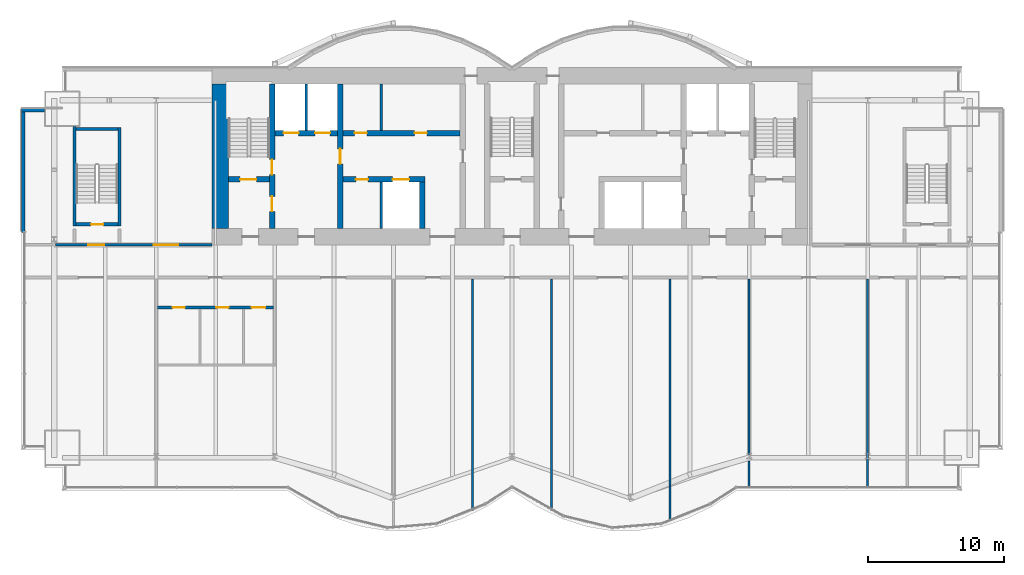
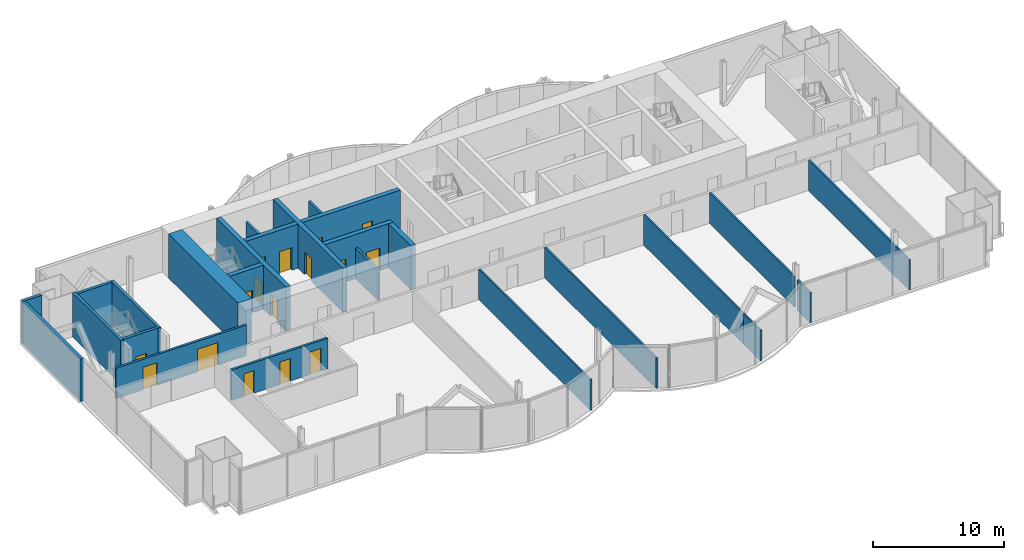
# One storey, part 14 of 20: 25 walls, 16 doors, 16 openings.
"""IFC4 building model written with IfcOpenShell, lengths in metres."""

import ifcopenshell
import ifcopenshell.guid

model = None  # the IFC model being written
_history = None  # IfcOwnerHistory: only IFC2X3 demands one
_inside = {}  # id of a spatial element -> (the spatial element, [elements in it])
_under = {}  # id of a project, library or spatial element -> (it, [spatial elements below it])
_declared = {}  # id of a project -> (the project, [libraries it declares])
_typed = {}  # id of a type object -> (the type object, [elements of that type])
_made_of = {}  # id of a material, layer set ... -> (it, [elements and type objects made of it])


def new_model(schema):
    """Start an empty IFC model of exactly this schema.

    Asked for "IFC4X3", IfcOpenShell would pick the latest addendum, in which some entities
    have other attributes; the version numbers below select the first issue.
    IFC2X3 requires an IfcOwnerHistory on every rooted entity: one is made here for all.
    """
    global model, _history
    if schema == "IFC4X3":
        model = ifcopenshell.file(schema_version=(4, 3, 0, 0))
    else:
        model = ifcopenshell.file(schema=schema)
    _inside.clear()
    _under.clear()
    _declared.clear()
    _typed.clear()
    _made_of.clear()
    _history = None
    if model.schema == "IFC2X3":
        org = make("IfcOrganization", Name="unknown")
        user = make(
            "IfcPersonAndOrganization",
            ThePerson=make("IfcPerson", FamilyName="unknown"),
            TheOrganization=org,
        )
        app = make(
            "IfcApplication",
            ApplicationDeveloper=org,
            Version="unknown",
            ApplicationFullName="unknown",
            ApplicationIdentifier="unknown",
        )
        _history = make(
            "IfcOwnerHistory",
            OwningUser=user,
            OwningApplication=app,
            ChangeAction="ADDED",
            CreationDate=0,
        )
    return model


def make(cls, **values):
    """One entity of the class cls with the attributes given. An attribute that is None is left unset."""
    return model.create_entity(
        cls, **{name: value for name, value in values.items() if value is not None}
    )


def rooted(cls, **values):
    """An entity with a GlobalId (a new one), such as an element, a storey or a relation."""
    return make(cls, GlobalId=ifcopenshell.guid.new(), OwnerHistory=_history, **values)


def si_unit(unit_type, name, prefix=None):
    """IfcSIUnit, for example si_unit("LENGTHUNIT", "METRE", prefix="MILLI")."""
    return make("IfcSIUnit", UnitType=unit_type, Prefix=prefix, Name=name)


def assignment(units):
    """IfcUnitAssignment: the units of a project."""
    return None if units is None else make("IfcUnitAssignment", Units=units)


def point(xyz):
    """IfcCartesianPoint."""
    return None if xyz is None else make("IfcCartesianPoint", Coordinates=xyz)


def direction(xyz):
    """IfcDirection."""
    return None if xyz is None else make("IfcDirection", DirectionRatios=xyz)


def frame(location, z_axis=None, x_axis=None):
    """IfcAxis2Placement3D, a coordinate frame: its origin and axes. An axis left out is left unset."""
    return make(
        "IfcAxis2Placement3D",
        Location=point(location),
        Axis=direction(z_axis),
        RefDirection=direction(x_axis),
    )


def frame_2d(location, x_axis=None):
    """IfcAxis2Placement2D, a coordinate frame in the plane: its origin and x axis."""
    return make(
        "IfcAxis2Placement2D", Location=point(location), RefDirection=direction(x_axis)
    )


def origin():
    """The frame at (0, 0, 0) with its axes left unset."""
    return frame((0.0, 0.0, 0.0))


def place(relative_to, where):
    """IfcLocalPlacement: puts the frame where relative to a parent placement (None: the world)."""
    return make(
        "IfcLocalPlacement", PlacementRelTo=relative_to, RelativePlacement=where
    )


def context(
    kind, dimensions, precision=None, world=None, true_north=None, identifier=None
):
    """IfcGeometricRepresentationContext, for example the 3D "Model" context."""
    return make(
        "IfcGeometricRepresentationContext",
        ContextIdentifier=identifier,
        ContextType=kind,
        CoordinateSpaceDimension=dimensions,
        Precision=precision,
        WorldCoordinateSystem=world,
        TrueNorth=true_north,
    )


def subcontext(parent, identifier, kind, view, scale=None):
    """IfcGeometricRepresentationSubContext, for example "Body" below "Model"."""
    return make(
        "IfcGeometricRepresentationSubContext",
        ContextIdentifier=identifier,
        ContextType=kind,
        ParentContext=parent,
        TargetScale=scale,
        TargetView=view,
    )


def project(units=None, contexts=None):
    """IfcProject with its units and contexts."""
    return rooted(
        "IfcProject",
        Name="project",
        RepresentationContexts=contexts,
        UnitsInContext=assignment(units),
    )


def spatial(cls, under=None, at=None, **own):
    """A site, building, storey or space (cls), placed at a placement, below another one or the project."""
    s = rooted(cls, ObjectPlacement=at, **own)
    if under is not None:
        _under.setdefault(under.id(), (under, []))[1].append(s)
    return s


def profile(cls, at=None, kind="AREA", **sizes):
    """A parametric profile (cls). Its sizes go by their IFC names, for example OverallWidth=200.0."""
    return make(cls, ProfileType=kind, Position=at, **sizes)


def rectangle(**sizes):
    """IfcRectangleProfileDef."""
    return profile("IfcRectangleProfileDef", **sizes)


def extrude(swept, where, along, depth):
    """IfcExtrudedAreaSolid: the profile swept, set in the frame where, extruded along a direction by depth."""
    return make(
        "IfcExtrudedAreaSolid",
        SweptArea=swept,
        Position=where,
        ExtrudedDirection=direction(along),
        Depth=depth,
    )


def shape(context_of_items, identifier, shape_type, items):
    """IfcShapeRepresentation: the items that make up one representation, for example the "Body"."""
    return make(
        "IfcShapeRepresentation",
        ContextOfItems=context_of_items,
        RepresentationIdentifier=identifier,
        RepresentationType=shape_type,
        Items=items,
    )


def material(Name=None, Category=None):
    """IfcMaterial."""
    return make("IfcMaterial", Name=Name, Category=Category)


def layer(
    of_material, thickness, ventilated=None, Name=None, Category=None, Priority=None
):
    """IfcMaterialLayer: one layer of a wall or slab, of a material (None: an air gap)."""
    return make(
        "IfcMaterialLayer",
        Material=of_material,
        LayerThickness=thickness,
        IsVentilated=ventilated,
        Name=Name,
        Category=Category,
        Priority=Priority,
    )


def layer_set(layers, Name=None):
    """IfcMaterialLayerSet."""
    return make("IfcMaterialLayerSet", MaterialLayers=layers, LayerSetName=Name)


def layer_usage(for_layer_set, set_direction, sense, offset, extent=None):
    """IfcMaterialLayerSetUsage: how a layer set lies in its element."""
    return make(
        "IfcMaterialLayerSetUsage",
        ForLayerSet=for_layer_set,
        LayerSetDirection=set_direction,
        DirectionSense=sense,
        OffsetFromReferenceLine=offset,
        ReferenceExtent=extent,
    )


def made_of(thing, what):
    """Note that an element or type object is made of a material, layer set ...; save() writes the relation."""
    if what is not None:
        _made_of.setdefault(what.id(), (what, []))[1].append(thing)
    return thing


def type_object(cls, material=None, **own):
    """A type object (cls), such as IfcWallType, which elements share."""
    return made_of(rooted(cls, **own), material)


def element(
    cls,
    number,
    at=None,
    inside=None,
    cuts=None,
    type_object=None,
    material=None,
    context=None,
    identifier="Body",
    shape_type=None,
    held_by="IfcProductDefinitionShape",
    body=None,
    shapes=None,
    **own,
):
    """One element of the class cls, such as IfcWall. Its Tag is "e" and its number.

    at: its placement. inside: the storey or other place that contains it. cuts: it is an
    opening in that element (IfcRelVoidsElement). A single representation is given by context,
    identifier, shape_type and body (its items); several are given by shapes. held_by: the class
    of the entity that holds the representations. save() writes the other relations.
    """
    e = rooted(cls, Tag="e%d" % number, ObjectPlacement=at, **own)
    if body is not None:
        shapes = [shape(context, identifier, shape_type, body)]
    if shapes is not None:
        e.Representation = make(held_by, Representations=shapes)
    if inside is not None:
        _inside.setdefault(inside.id(), (inside, []))[1].append(e)
    if cuts is not None:
        rooted(
            "IfcRelVoidsElement", RelatingBuildingElement=cuts, RelatedOpeningElement=e
        )
    if type_object is not None:
        _typed.setdefault(type_object.id(), (type_object, []))[1].append(e)
    return made_of(e, material)


def fill(opening, filler):
    """IfcRelFillsElement: the door or window that sits in an opening."""
    return rooted(
        "IfcRelFillsElement",
        RelatingOpeningElement=opening,
        RelatedBuildingElement=filler,
    )


def aggregate(whole, parts):
    """IfcRelAggregates: a whole, such as a stair, and the parts it consists of."""
    return rooted("IfcRelAggregates", RelatingObject=whole, RelatedObjects=parts)


def save(model, path):
    """Write the relations noted so far, then the file.

    IfcRelAggregates (storeys below a building ...), IfcRelContainedInSpatialStructure (elements
    in a storey), IfcRelDefinesByType, IfcRelAssociatesMaterial and IfcRelDeclares: one each for
    every whole, place, type object, material and project.
    """
    for whole, parts in _under.values():
        aggregate(whole, parts)
    for where, things in _inside.values():
        rooted(
            "IfcRelContainedInSpatialStructure",
            RelatedElements=things,
            RelatingStructure=where,
        )
    for kind, things in _typed.values():
        rooted("IfcRelDefinesByType", RelatedObjects=things, RelatingType=kind)
    for what, things in _made_of.values():
        rooted("IfcRelAssociatesMaterial", RelatedObjects=things, RelatingMaterial=what)
    for by, libraries in _declared.values():
        rooted("IfcRelDeclares", RelatingContext=by, RelatedDefinitions=libraries)
    model.write(path)


model = new_model("IFC4")

# Units and contexts
model_context = context("Model", 3, precision=1e-05, world=origin(), true_north=direction((0.0, 1.0)))
body_context = subcontext(model_context, "Body", "Model", "MODEL_VIEW")
ifc_project = project(units=[si_unit("LENGTHUNIT", "METRE"), si_unit("AREAUNIT", "SQUARE_METRE"), si_unit("VOLUMEUNIT", "CUBIC_METRE"), si_unit("PLANEANGLEUNIT", "RADIAN"), si_unit("MASSUNIT", "GRAM", prefix="KILO")], contexts=[model_context])

# Site, building, storey
site_placement = place(None, origin())
site = spatial("IfcSite", under=ifc_project, at=site_placement, CompositionType="ELEMENT")
building_placement = place(site_placement, origin())
building = spatial("IfcBuilding", under=site, at=building_placement, Name="Bicima Exchange Tower", CompositionType="ELEMENT")
storey_placement = place(building_placement, frame((0.0, 0.0, 227.800048828125)))
storey = spatial("IfcBuildingStorey", under=building, at=storey_placement, Name="L51", CompositionType="ELEMENT", Elevation=227.800048828125)

# Walls
ifc_material_1 = material(Name="Gypsum board partition")
ifc_layer_1 = layer(ifc_material_1, 0.199951171875)
ifc_layer_set_1 = layer_set([ifc_layer_1], Name="Gypsum board partition")
wall_type_1 = type_object("IfcWallType", Name="Fire-rated gypsum partition 200 EI120", PredefinedType="PARTITIONING", material=ifc_layer_set_1)
for number, where, z_axis, x_axis, name in (
    (1, (-15.10009765625, -4.60009765625, 0.0), (0.0, 0.0, 1.0), (0.0, 1.0, 0.0), "partition wall 9"),
    (2, (-9.60009765625, -11.800048828125, 0.0), (0.0, 0.0, 1.0), (0.0, 1.0, 0.0), "partition wall 11"),
):
    element("IfcWall", number, at=place(storey_placement, frame(where, z_axis=z_axis, x_axis=x_axis)), inside=storey, type_object=wall_type_1, Name=name, PredefinedType="PARTITIONING", context=body_context, shape_type="SweptSolid", body=[
        extrude(rectangle(XDim=3.400146484375, YDim=0.199951171875, at=frame_2d((1.7001953125, 0.0))), origin(), (0.0, 0.0, 1.0), 2.84033203125),
    ])

# Wall, openings, doors
ifc_layer_2 = layer(ifc_material_1, 0.199951171875)
ifc_layer_set_2 = layer_set([ifc_layer_2], Name="Gypsum board partition")
wall_type_2 = type_object("IfcWallType", Name="Fire-rated gypsum partition 200 EI60", PredefinedType="PARTITIONING", material=ifc_layer_set_2)
wall_1_placement = place(storey_placement, frame((-26.0, -17.60009765625, 0.0), z_axis=(0.0, 0.0, 1.0), x_axis=(1.0, 0.0, 0.0)))
wall_1 = element("IfcWall", 3, at=wall_1_placement, inside=storey, type_object=wall_type_2, Name="partition wall 2", PredefinedType="PARTITIONING", context=body_context, shape_type="SweptSolid", body=[
    extrude(rectangle(XDim=8.5, YDim=0.199951171875, at=frame_2d((4.25, 0.0))), origin(), (0.0, 0.0, 1.0), 2.84033203125),
])
opening_1_placement = place(wall_1_placement, frame((1.10009765625, 0.0, 0.0)))
opening_1 = element("IfcOpeningElement", 4, at=opening_1_placement, cuts=wall_1, Name="Opening L51-009", PredefinedType="OPENING", context=body_context, shape_type="SweptSolid", body=[
    extrude(rectangle(XDim=0.89990234375, YDim=2.10009765625, at=frame_2d((0.449951171875, 1.050048828125))), frame((0.0, 0.11181640625, 0.0), z_axis=(0.0, -1.0, 0.0), x_axis=(1.0, 0.0, 0.0)), (0.0, 0.0, 1.0), 0.223876953125),
])
opening_2_placement = place(wall_1_placement, frame((4.300048828125, 0.0, 0.0)))
opening_2 = element("IfcOpeningElement", 5, at=opening_2_placement, cuts=wall_1, Name="Opening L51-010", PredefinedType="OPENING", context=body_context, shape_type="SweptSolid", body=[
    extrude(rectangle(XDim=0.89990234375, YDim=2.10009765625, at=frame_2d((0.449951171875, 1.050048828125))), frame((0.0, 0.11181640625, 0.0), z_axis=(0.0, -1.0, 0.0), x_axis=(1.0, 0.0, 0.0)), (0.0, 0.0, 1.0), 0.223876953125),
])
opening_3_placement = place(wall_1_placement, frame((6.89990234375, 0.0, 0.0)))
opening_3 = element("IfcOpeningElement", 6, at=opening_3_placement, cuts=wall_1, Name="Opening L51-011", PredefinedType="OPENING", context=body_context, shape_type="SweptSolid", body=[
    extrude(rectangle(XDim=1.0, YDim=2.10009765625, at=frame_2d((0.5, 1.050048828125))), frame((0.0, 0.11181640625, 0.0), z_axis=(0.0, -1.0, 0.0), x_axis=(1.0, 0.0, 0.0)), (0.0, 0.0, 1.0), 0.223876953125),
])
ifc_material_2 = material(Name="Steel fire door leaf", Category="steel")
door_type_1 = type_object("IfcDoorType", Name="Door 1000 swing FD30S", OperationType="SINGLE_SWING_LEFT", PredefinedType="DOOR", material=ifc_material_2)
door_1_placement = place(opening_3_placement, frame((1.0, 0.0, 0.0), z_axis=(0.0, 0.0, 1.0), x_axis=(-1.0, 0.0, 0.0)))
door_1 = element("IfcDoor", 7, at=door_1_placement, inside=storey, type_object=door_type_1, Name="Door", OperationType="SINGLE_SWING_RIGHT", OverallHeight=2.10009765625, OverallWidth=1.0, PredefinedType="DOOR", context=body_context, shape_type="SweptSolid", body=[
    extrude(rectangle(XDim=1.0, YDim=2.10009765625, at=frame_2d((0.5, 1.050048828125))), frame((0.0, 0.02490234375, 0.0), z_axis=(0.0, -1.0, 0.0), x_axis=(1.0, 0.0, 0.0)), (0.0, 0.0, 1.0), 0.050048828125),
])
fill(opening_3, door_1)
door_type_2 = type_object("IfcDoorType", Name="Door 900 swing FD30S", OperationType="SINGLE_SWING_LEFT", PredefinedType="DOOR", material=ifc_material_2)
door_2_placement = place(opening_1_placement, frame((0.89990234375, 0.0, 0.0), z_axis=(0.0, 0.0, 1.0), x_axis=(-1.0, 0.0, 0.0)))
door_2 = element("IfcDoor", 8, at=door_2_placement, inside=storey, type_object=door_type_2, Name="Door", OperationType="SINGLE_SWING_RIGHT", OverallHeight=2.10009765625, OverallWidth=0.89990234375, PredefinedType="DOOR", context=body_context, shape_type="SweptSolid", body=[
    extrude(rectangle(XDim=0.89990234375, YDim=2.10009765625, at=frame_2d((0.449951171875, 1.050048828125))), frame((0.0, 0.02490234375, 0.0), z_axis=(0.0, -1.0, 0.0), x_axis=(1.0, 0.0, 0.0)), (0.0, 0.0, 1.0), 0.050048828125),
])
fill(opening_1, door_2)
door_3_placement = place(opening_2_placement, frame((0.89990234375, 0.0, 0.0), z_axis=(0.0, 0.0, 1.0), x_axis=(-1.0, 0.0, 0.0)))
door_3 = element("IfcDoor", 9, at=door_3_placement, inside=storey, type_object=door_type_2, Name="Door", OperationType="SINGLE_SWING_LEFT", OverallHeight=2.10009765625, OverallWidth=0.89990234375, PredefinedType="DOOR", context=body_context, shape_type="SweptSolid", body=[
    extrude(rectangle(XDim=0.89990234375, YDim=2.10009765625, at=frame_2d((0.449951171875, 1.050048828125))), frame((0.0, 0.02490234375, 0.0), z_axis=(0.0, -1.0, 0.0), x_axis=(1.0, 0.0, 0.0)), (0.0, 0.0, 1.0), 0.050048828125),
])
fill(opening_2, door_3)

wall_2_placement = place(storey_placement, frame((-33.47998046875, -13.0, 0.0), z_axis=(0.0, 0.0, 1.0), x_axis=(1.0, 0.0, 0.0)))
wall_2 = element("IfcWall", 10, at=wall_2_placement, inside=storey, type_object=wall_type_2, Name="partition wall 5", PredefinedType="PARTITIONING", context=body_context, shape_type="SweptSolid", body=[
    extrude(rectangle(XDim=11.47998046875, YDim=0.199951171875, at=frame_2d((5.739990234375, 0.0))), origin(), (0.0, 0.0, 1.0), 2.84033203125),
])
opening_4_placement = place(wall_2_placement, frame((2.3798828125, 0.0, 0.0)))
opening_4 = element("IfcOpeningElement", 11, at=opening_4_placement, cuts=wall_2, Name="Opening L51-001", PredefinedType="OPENING", context=body_context, shape_type="SweptSolid", body=[
    extrude(rectangle(XDim=1.199951171875, YDim=2.10009765625, at=frame_2d((0.60009765625, 1.050048828125))), frame((0.0, 0.11181640625, 0.0), z_axis=(0.0, -1.0, 0.0), x_axis=(1.0, 0.0, 0.0)), (0.0, 0.0, 1.0), 0.223876953125),
])
opening_5_placement = place(wall_2_placement, frame((7.179931640625, 0.0, 0.0)))
opening_5 = element("IfcOpeningElement", 12, at=opening_5_placement, cuts=wall_2, Name="Opening L51-005", PredefinedType="OPENING", context=body_context, shape_type="SweptSolid", body=[
    extrude(rectangle(XDim=1.800048828125, YDim=2.10009765625, at=frame_2d((0.89990234375, 1.050048828125))), frame((0.0, 0.11181640625, 0.0), z_axis=(0.0, -1.0, 0.0), x_axis=(1.0, 0.0, 0.0)), (0.0, 0.0, 1.0), 0.223876953125),
])
door_type_3 = type_object("IfcDoorType", Name="Door 1200 swing FD30S", OperationType="SINGLE_SWING_LEFT", PredefinedType="DOOR", material=ifc_material_2)
door_4_placement = place(opening_4_placement, origin())
door_4 = element("IfcDoor", 13, at=door_4_placement, inside=storey, type_object=door_type_3, Name="Door", OperationType="SINGLE_SWING_LEFT", OverallHeight=2.10009765625, OverallWidth=1.199951171875, PredefinedType="DOOR", context=body_context, shape_type="SweptSolid", body=[
    extrude(rectangle(XDim=1.199951171875, YDim=2.10009765625, at=frame_2d((0.60009765625, 1.050048828125))), frame((0.0, 0.02490234375, 0.0), z_axis=(0.0, -1.0, 0.0), x_axis=(1.0, 0.0, 0.0)), (0.0, 0.0, 1.0), 0.050048828125),
])
fill(opening_4, door_4)
door_type_4 = type_object("IfcDoorType", Name="Door 1800 double swing FD30S", OperationType="DOUBLE_DOOR_SINGLE_SWING", PredefinedType="DOOR", material=ifc_material_2)
door_5_placement = place(opening_5_placement, origin())
door_5 = element("IfcDoor", 14, at=door_5_placement, inside=storey, type_object=door_type_4, Name="Door", OperationType="SINGLE_SWING_LEFT", OverallHeight=2.10009765625, OverallWidth=1.800048828125, PredefinedType="DOOR", context=body_context, shape_type="SweptSolid", body=[
    extrude(rectangle(XDim=1.800048828125, YDim=2.10009765625, at=frame_2d((0.89990234375, 1.050048828125))), frame((0.0, 0.02490234375, 0.0), z_axis=(0.0, -1.0, 0.0), x_axis=(1.0, 0.0, 0.0)), (0.0, 0.0, 1.0), 0.050048828125),
])
fill(opening_5, door_5)

# Walls
wall_3_placement = place(storey_placement, frame((-9.60009765625, -4.60009765625, 0.0), z_axis=(0.0, 0.0, 1.0), x_axis=(0.0, 1.0, 0.0)))
element("IfcWall", 15, at=wall_3_placement, inside=storey, type_object=wall_type_2, Name="partition wall 12", PredefinedType="PARTITIONING", context=body_context, shape_type="SweptSolid", body=[
    extrude(rectangle(XDim=3.400146484375, YDim=0.199951171875, at=frame_2d((1.7001953125, 0.0))), origin(), (0.0, 0.0, 1.0), 2.84033203125),
])
ifc_layer_3 = layer(ifc_material_1, 0.14990234375)
ifc_layer_set_3 = layer_set([ifc_layer_3], Name="Gypsum board partition")
wall_type_3 = type_object("IfcWallType", Name="Gypsum partition 150", PredefinedType="PARTITIONING", material=ifc_layer_set_3)
for number, where, z_axis, x_axis, name in (
    (16, (-2.89990234375, -32.489990234375, 0.0), (0.0, 0.0, 1.0), (0.0, 1.0, 0.0), "partition wall 20"),
    (17, (2.89990234375, -32.489990234375, 0.0), (0.0, 0.0, 1.0), (0.0, 1.0, 0.0), "partition wall 21"),
):
    element("IfcWall", number, at=place(storey_placement, frame(where, z_axis=z_axis, x_axis=x_axis)), inside=storey, type_object=wall_type_3, Name=name, PredefinedType="PARTITIONING", context=body_context, shape_type="SweptSolid", body=[
        extrude(rectangle(XDim=16.989990234375, YDim=0.14990234375, at=frame_2d((8.4951171875, 0.0))), origin(), (0.0, 0.0, 1.0), 2.84033203125),
    ])
wall_4_placement = place(storey_placement, frame((11.60009765625, -33.27001953125, 0.0), z_axis=(0.0, 0.0, 1.0), x_axis=(0.0, 1.0, 0.0)))
element("IfcWall", 18, at=wall_4_placement, inside=storey, type_object=wall_type_3, Name="partition wall 22", PredefinedType="PARTITIONING", context=body_context, shape_type="SweptSolid", body=[
    extrude(rectangle(XDim=2.57470703125, YDim=0.14990234375, at=frame_2d((1.287353515625, 0.0))), origin(), (0.0, 0.0, 1.0), 2.84033203125),
])
wall_5_placement = place(storey_placement, frame((11.60009765625, -30.6953125, 0.0), z_axis=(0.0, 0.0, 1.0), x_axis=(0.0, 1.0, 0.0)))
element("IfcWall", 19, at=wall_5_placement, inside=storey, type_object=wall_type_3, Name="partition wall 23", PredefinedType="PARTITIONING", context=body_context, shape_type="SweptSolid", body=[
    extrude(rectangle(XDim=15.1953125, YDim=0.14990234375, at=frame_2d((7.59765625, 0.0))), origin(), (0.0, 0.0, 1.0), 2.84033203125),
])
wall_6_placement = place(storey_placement, frame((17.39990234375, -30.81005859375, 0.0), z_axis=(0.0, 0.0, 1.0), x_axis=(0.0, 1.0, 0.0)))
element("IfcWall", 20, at=wall_6_placement, inside=storey, type_object=wall_type_3, Name="partition wall 24", PredefinedType="PARTITIONING", context=body_context, shape_type="SweptSolid", body=[
    extrude(rectangle(XDim=1.95263671875, YDim=0.14990234375, at=frame_2d((0.976318359375, 0.0))), origin(), (0.0, 0.0, 1.0), 2.84033203125),
])
wall_7_placement = place(storey_placement, frame((17.39990234375, -28.3828125, 0.0), z_axis=(0.0, 0.0, 1.0), x_axis=(0.0, 1.0, 0.0)))
element("IfcWall", 21, at=wall_7_placement, inside=storey, type_object=wall_type_3, Name="partition wall 25", PredefinedType="PARTITIONING", context=body_context, shape_type="SweptSolid", body=[
    extrude(rectangle(XDim=12.8828125, YDim=0.14990234375, at=frame_2d((6.44140625, 0.0))), origin(), (0.0, 0.0, 1.0), 2.84033203125),
])
wall_8_placement = place(storey_placement, frame((26.10009765625, -30.81005859375, 0.0), z_axis=(0.0, 0.0, 1.0), x_axis=(0.0, 1.0, 0.0)))
element("IfcWall", 22, at=wall_8_placement, inside=storey, type_object=wall_type_3, Name="partition wall 26", PredefinedType="PARTITIONING", context=body_context, shape_type="SweptSolid", body=[
    extrude(rectangle(XDim=15.31005859375, YDim=0.14990234375, at=frame_2d((7.655029296875, 0.0))), origin(), (0.0, 0.0, 1.0), 2.84033203125),
])
ifc_material_3 = material(Name="Concrete C50/60", Category="concrete")
ifc_layer_4 = layer(ifc_material_3, 1.199951171875)
ifc_layer_set_4 = layer_set([ifc_layer_4], Name="Concrete C50/60")
wall_type_4 = type_object("IfcWallType", Name="RC core wall 1200 C50/60", PredefinedType="SHEAR", material=ifc_layer_set_4)
wall_9_placement = place(storey_placement, frame((-21.39990234375, -11.800048828125, 0.0), z_axis=(0.0, 0.0, 1.0), x_axis=(0.0, 1.0, 0.0)))
element("IfcWall", 23, at=wall_9_placement, inside=storey, type_object=wall_type_4, Name="Core wall west", PredefinedType="SHEAR", context=body_context, shape_type="SweptSolid", body=[
    extrude(rectangle(XDim=10.60009765625, YDim=1.199951171875, at=frame_2d((5.300048828125, 0.0))), origin(), (0.0, 0.0, 1.0), 4.099853515625),
])

# Wall, opening, door
ifc_layer_5 = layer(ifc_material_3, 0.39990234375)
ifc_layer_set_5 = layer_set([ifc_layer_5], Name="Concrete C50/60")
wall_type_5 = type_object("IfcWallType", Name="RC core wall 400 C50/60", PredefinedType="SHEAR", material=ifc_layer_set_5)
wall_10_placement = place(storey_placement, frame((-20.800048828125, -8.199951171875, 0.0), z_axis=(0.0, 0.0, 1.0), x_axis=(1.0, 0.0, 0.0)))
wall_10 = element("IfcWall", 24, at=wall_10_placement, inside=storey, type_object=wall_type_5, Name="stair wall 1", PredefinedType="SHEAR", context=body_context, shape_type="SweptSolid", body=[
    extrude(rectangle(XDim=3.0, YDim=0.39990234375, at=frame_2d((1.5, 0.0))), origin(), (0.0, 0.0, 1.0), 4.099853515625),
])
opening_6_placement = place(wall_10_placement, frame((0.85009765625, 0.0, 0.0)))
opening_6 = element("IfcOpeningElement", 25, at=opening_6_placement, cuts=wall_10, Name="Opening L51-C01", PredefinedType="OPENING", context=body_context, shape_type="SweptSolid", body=[
    extrude(rectangle(XDim=1.199951171875, YDim=2.10009765625, at=frame_2d((0.60009765625, 1.050048828125))), frame((0.0, 0.2119140625, 0.0), z_axis=(0.0, -1.0, 0.0), x_axis=(1.0, 0.0, 0.0)), (0.0, 0.0, 1.0), 0.423828125),
])
door_type_5 = type_object("IfcDoorType", Name="Door 1200 swing FD60S", OperationType="SINGLE_SWING_LEFT", PredefinedType="DOOR", material=ifc_material_2)
door_6_placement = place(opening_6_placement, origin())
door_6 = element("IfcDoor", 26, at=door_6_placement, inside=storey, type_object=door_type_5, Name="Core door", OperationType="SINGLE_SWING_LEFT", OverallHeight=2.10009765625, OverallWidth=1.199951171875, PredefinedType="DOOR", context=body_context, shape_type="SweptSolid", body=[
    extrude(rectangle(XDim=1.199951171875, YDim=2.10009765625, at=frame_2d((0.60009765625, 1.050048828125))), frame((0.0, 0.02490234375, 0.0), z_axis=(0.0, -1.0, 0.0), x_axis=(1.0, 0.0, 0.0)), (0.0, 0.0, 1.0), 0.050048828125),
])
fill(opening_6, door_6)

# Wall, openings, doors
wall_11_placement = place(storey_placement, frame((-12.39990234375, -8.199951171875, 0.0), z_axis=(0.0, 0.0, 1.0), x_axis=(1.0, 0.0, 0.0)))
wall_11 = element("IfcWall", 27, at=wall_11_placement, inside=storey, type_object=wall_type_5, Name="shear wall 2", PredefinedType="SHEAR", context=body_context, shape_type="SweptSolid", body=[
    extrude(rectangle(XDim=6.0, YDim=0.39990234375, at=frame_2d((3.0, 0.0))), origin(), (0.0, 0.0, 1.0), 4.099853515625),
])
opening_7_placement = place(wall_11_placement, frame((3.64990234375, 0.0, 0.0)))
opening_7 = element("IfcOpeningElement", 28, at=opening_7_placement, cuts=wall_11, Name="Opening LD-MB1-L51", PredefinedType="OPENING", context=body_context, shape_type="SweptSolid", body=[
    extrude(rectangle(XDim=1.199951171875, YDim=2.10009765625, at=frame_2d((0.60009765625, 1.050048828125))), frame((0.0, 0.2119140625, 0.0), z_axis=(0.0, -1.0, 0.0), x_axis=(1.0, 0.0, 0.0)), (0.0, 0.0, 1.0), 0.423828125),
])
opening_8_placement = place(wall_11_placement, frame((0.949951171875, 0.0, 0.0)))
opening_8 = element("IfcOpeningElement", 29, at=opening_8_placement, cuts=wall_11, Name="Opening L51-C16", PredefinedType="OPENING", context=body_context, shape_type="SweptSolid", body=[
    extrude(rectangle(XDim=0.89990234375, YDim=2.10009765625, at=frame_2d((0.449951171875, 1.050048828125))), frame((0.0, 0.2119140625, 0.0), z_axis=(0.0, -1.0, 0.0), x_axis=(1.0, 0.0, 0.0)), (0.0, 0.0, 1.0), 0.423828125),
])
door_7_placement = place(opening_8_placement, frame((0.89990234375, 0.0, 0.0), z_axis=(0.0, 0.0, 1.0), x_axis=(-1.0, 0.0, 0.0)))
door_7 = element("IfcDoor", 30, at=door_7_placement, inside=storey, type_object=door_type_2, Name="Core door", OperationType="SINGLE_SWING_LEFT", OverallHeight=2.10009765625, OverallWidth=0.89990234375, PredefinedType="DOOR", context=body_context, shape_type="SweptSolid", body=[
    extrude(rectangle(XDim=0.89990234375, YDim=2.10009765625, at=frame_2d((0.449951171875, 1.050048828125))), frame((0.0, 0.02490234375, 0.0), z_axis=(0.0, -1.0, 0.0), x_axis=(1.0, 0.0, 0.0)), (0.0, 0.0, 1.0), 0.050048828125),
])
fill(opening_8, door_7)
ifc_material_4 = material(Name="Stainless steel", Category="steel")
door_type_6 = type_object("IfcDoorType", Name="Lift landing door 1200 sliding", OperationType="DOUBLE_DOOR_SLIDING", PredefinedType="DOOR", material=ifc_material_4)
door_8_placement = place(opening_7_placement, origin())
door_8 = element("IfcDoor", 31, at=door_8_placement, inside=storey, type_object=door_type_6, Name="Lift landing door MB1", OperationType="DOUBLE_DOOR_SLIDING", OverallHeight=2.10009765625, OverallWidth=1.199951171875, PredefinedType="DOOR", context=body_context, shape_type="SweptSolid", body=[
    extrude(rectangle(XDim=1.199951171875, YDim=2.10009765625, at=frame_2d((0.60009765625, 1.050048828125))), frame((0.0, 0.02490234375, 0.0), z_axis=(0.0, -1.0, 0.0), x_axis=(1.0, 0.0, 0.0)), (0.0, 0.0, 1.0), 0.050048828125),
])
fill(opening_7, door_8)

wall_12_placement = place(storey_placement, frame((-17.39990234375, -4.800048828125, 0.0), z_axis=(0.0, 0.0, 1.0), x_axis=(1.0, 0.0, 0.0)))
wall_12 = element("IfcWall", 32, at=wall_12_placement, inside=storey, type_object=wall_type_5, Name="shear wall 6", PredefinedType="SHEAR", context=body_context, shape_type="SweptSolid", body=[
    extrude(rectangle(XDim=13.599853515625, YDim=0.39990234375, at=frame_2d((6.7998046875, 0.0))), origin(), (0.0, 0.0, 1.0), 4.099853515625),
])
opening_9_placement = place(wall_12_placement, frame((0.64990234375, 0.0, 0.0)))
opening_9 = element("IfcOpeningElement", 33, at=opening_9_placement, cuts=wall_12, Name="Opening LD-FF1-L51", PredefinedType="OPENING", context=body_context, shape_type="SweptSolid", body=[
    extrude(rectangle(XDim=1.10009765625, YDim=2.10009765625, at=frame_2d((0.550048828125, 1.050048828125))), frame((0.0, 0.2119140625, 0.0), z_axis=(0.0, -1.0, 0.0), x_axis=(1.0, 0.0, 0.0)), (0.0, 0.0, 1.0), 0.423828125),
])
opening_10_placement = place(wall_12_placement, frame((2.949951171875, 0.0, 0.0)))
opening_10 = element("IfcOpeningElement", 34, at=opening_10_placement, cuts=wall_12, Name="Opening LD-FF3-L51", PredefinedType="OPENING", context=body_context, shape_type="SweptSolid", body=[
    extrude(rectangle(XDim=1.10009765625, YDim=2.10009765625, at=frame_2d((0.550048828125, 1.050048828125))), frame((0.0, 0.2119140625, 0.0), z_axis=(0.0, -1.0, 0.0), x_axis=(1.0, 0.0, 0.0)), (0.0, 0.0, 1.0), 0.423828125),
])
opening_11_placement = place(wall_12_placement, frame((5.85009765625, 0.0, 0.0)))
opening_11 = element("IfcOpeningElement", 35, at=opening_11_placement, cuts=wall_12, Name="Opening L51-C12", PredefinedType="OPENING", context=body_context, shape_type="SweptSolid", body=[
    extrude(rectangle(XDim=0.89990234375, YDim=2.10009765625, at=frame_2d((0.449951171875, 1.050048828125))), frame((0.0, 0.2119140625, 0.0), z_axis=(0.0, -1.0, 0.0), x_axis=(1.0, 0.0, 0.0)), (0.0, 0.0, 1.0), 0.423828125),
])
opening_12_placement = place(wall_12_placement, frame((10.25, 0.0, 0.0)))
opening_12 = element("IfcOpeningElement", 36, at=opening_12_placement, cuts=wall_12, Name="Opening L51-C13", PredefinedType="OPENING", context=body_context, shape_type="SweptSolid", body=[
    extrude(rectangle(XDim=0.89990234375, YDim=2.10009765625, at=frame_2d((0.449951171875, 1.050048828125))), frame((0.0, 0.2119140625, 0.0), z_axis=(0.0, -1.0, 0.0), x_axis=(1.0, 0.0, 0.0)), (0.0, 0.0, 1.0), 0.423828125),
])
door_9_placement = place(opening_11_placement, origin())
door_9 = element("IfcDoor", 37, at=door_9_placement, inside=storey, type_object=door_type_2, Name="Core door", OperationType="SINGLE_SWING_RIGHT", OverallHeight=2.10009765625, OverallWidth=0.89990234375, PredefinedType="DOOR", context=body_context, shape_type="SweptSolid", body=[
    extrude(rectangle(XDim=0.89990234375, YDim=2.10009765625, at=frame_2d((0.449951171875, 1.050048828125))), frame((0.0, 0.02490234375, 0.0), z_axis=(0.0, -1.0, 0.0), x_axis=(1.0, 0.0, 0.0)), (0.0, 0.0, 1.0), 0.050048828125),
])
fill(opening_11, door_9)
door_10_placement = place(opening_12_placement, origin())
door_10 = element("IfcDoor", 38, at=door_10_placement, inside=storey, type_object=door_type_2, Name="Core door", OperationType="SINGLE_SWING_LEFT", OverallHeight=2.10009765625, OverallWidth=0.89990234375, PredefinedType="DOOR", context=body_context, shape_type="SweptSolid", body=[
    extrude(rectangle(XDim=0.89990234375, YDim=2.10009765625, at=frame_2d((0.449951171875, 1.050048828125))), frame((0.0, 0.02490234375, 0.0), z_axis=(0.0, -1.0, 0.0), x_axis=(1.0, 0.0, 0.0)), (0.0, 0.0, 1.0), 0.050048828125),
])
fill(opening_12, door_10)
door_type_7 = type_object("IfcDoorType", Name="Lift landing door 1100 sliding", OperationType="DOUBLE_DOOR_SLIDING", PredefinedType="DOOR", material=ifc_material_4)
door_11_placement = place(opening_9_placement, origin())
door_11 = element("IfcDoor", 39, at=door_11_placement, inside=storey, type_object=door_type_7, Name="Lift landing door FF1", OperationType="DOUBLE_DOOR_SLIDING", OverallHeight=2.10009765625, OverallWidth=1.10009765625, PredefinedType="DOOR", context=body_context, shape_type="SweptSolid", body=[
    extrude(rectangle(XDim=1.10009765625, YDim=2.10009765625, at=frame_2d((0.550048828125, 1.050048828125))), frame((0.0, 0.02490234375, 0.0), z_axis=(0.0, -1.0, 0.0), x_axis=(1.0, 0.0, 0.0)), (0.0, 0.0, 1.0), 0.050048828125),
])
fill(opening_9, door_11)
door_12_placement = place(opening_10_placement, origin())
door_12 = element("IfcDoor", 40, at=door_12_placement, inside=storey, type_object=door_type_7, Name="Lift landing door FF3", OperationType="DOUBLE_DOOR_SLIDING", OverallHeight=2.10009765625, OverallWidth=1.10009765625, PredefinedType="DOOR", context=body_context, shape_type="SweptSolid", body=[
    extrude(rectangle(XDim=1.10009765625, YDim=2.10009765625, at=frame_2d((0.550048828125, 1.050048828125))), frame((0.0, 0.02490234375, 0.0), z_axis=(0.0, -1.0, 0.0), x_axis=(1.0, 0.0, 0.0)), (0.0, 0.0, 1.0), 0.050048828125),
])
fill(opening_10, door_12)

wall_13_placement = place(storey_placement, frame((-17.60009765625, -11.800048828125, 0.0), z_axis=(0.0, 0.0, 1.0), x_axis=(0.0, 1.0, 0.0)))
wall_13 = element("IfcWall", 41, at=wall_13_placement, inside=storey, type_object=wall_type_5, Name="stair wall 8", PredefinedType="SHEAR", context=body_context, shape_type="SweptSolid", body=[
    extrude(rectangle(XDim=10.60009765625, YDim=0.39990234375, at=frame_2d((5.300048828125, 0.0))), origin(), (0.0, 0.0, 1.0), 4.099853515625),
])
opening_13_placement = place(wall_13_placement, frame((1.25, 0.0, 0.0)))
opening_13 = element("IfcOpeningElement", 42, at=opening_13_placement, cuts=wall_13, Name="Opening L51-C02", PredefinedType="OPENING", context=body_context, shape_type="SweptSolid", body=[
    extrude(rectangle(XDim=1.10009765625, YDim=2.10009765625, at=frame_2d((0.550048828125, 1.050048828125))), frame((0.0, 0.2119140625, 0.0), z_axis=(0.0, -1.0, 0.0), x_axis=(1.0, 0.0, 0.0)), (0.0, 0.0, 1.0), 0.423828125),
])
opening_14_placement = place(wall_13_placement, frame((3.949951171875, 0.0, 0.0)))
opening_14 = element("IfcOpeningElement", 43, at=opening_14_placement, cuts=wall_13, Name="Opening L51-C06", PredefinedType="OPENING", context=body_context, shape_type="SweptSolid", body=[
    extrude(rectangle(XDim=1.10009765625, YDim=2.10009765625, at=frame_2d((0.550048828125, 1.050048828125))), frame((0.0, 0.2119140625, 0.0), z_axis=(0.0, -1.0, 0.0), x_axis=(1.0, 0.0, 0.0)), (0.0, 0.0, 1.0), 0.423828125),
])
door_type_8 = type_object("IfcDoorType", Name="Door 1100 swing FD60S", OperationType="SINGLE_SWING_LEFT", PredefinedType="DOOR", material=ifc_material_2)
door_13_placement = place(opening_13_placement, frame((1.10009765625, 0.0, 0.0), z_axis=(0.0, 0.0, 1.0), x_axis=(-1.0, 0.0, 0.0)))
door_13 = element("IfcDoor", 44, at=door_13_placement, inside=storey, type_object=door_type_8, Name="Core door", OperationType="SINGLE_SWING_LEFT", OverallHeight=2.10009765625, OverallWidth=1.10009765625, PredefinedType="DOOR", context=body_context, shape_type="SweptSolid", body=[
    extrude(rectangle(XDim=1.10009765625, YDim=2.10009765625, at=frame_2d((0.550048828125, 1.050048828125))), frame((0.0, 0.02490234375, 0.0), z_axis=(0.0, -1.0, 0.0), x_axis=(1.0, 0.0, 0.0)), (0.0, 0.0, 1.0), 0.050048828125),
])
fill(opening_13, door_13)
door_14_placement = place(opening_14_placement, frame((1.10009765625, 0.0, 0.0), z_axis=(0.0, 0.0, 1.0), x_axis=(-1.0, 0.0, 0.0)))
door_14 = element("IfcDoor", 45, at=door_14_placement, inside=storey, type_object=door_type_8, Name="Core door", OperationType="SINGLE_SWING_LEFT", OverallHeight=2.10009765625, OverallWidth=1.10009765625, PredefinedType="DOOR", context=body_context, shape_type="SweptSolid", body=[
    extrude(rectangle(XDim=1.10009765625, YDim=2.10009765625, at=frame_2d((0.550048828125, 1.050048828125))), frame((0.0, 0.02490234375, 0.0), z_axis=(0.0, -1.0, 0.0), x_axis=(1.0, 0.0, 0.0)), (0.0, 0.0, 1.0), 0.050048828125),
])
fill(opening_14, door_14)

# Wall, opening, door
wall_14_placement = place(storey_placement, frame((-12.60009765625, -11.800048828125, 0.0), z_axis=(0.0, 0.0, 1.0), x_axis=(0.0, 1.0, 0.0)))
wall_14 = element("IfcWall", 46, at=wall_14_placement, inside=storey, type_object=wall_type_5, Name="shear wall 10", PredefinedType="SHEAR", context=body_context, shape_type="SweptSolid", body=[
    extrude(rectangle(XDim=10.60009765625, YDim=0.39990234375, at=frame_2d((5.300048828125, 0.0))), origin(), (0.0, 0.0, 1.0), 4.099853515625),
])
opening_15_placement = place(wall_14_placement, frame((4.75, 0.0, 0.0)))
opening_15 = element("IfcOpeningElement", 47, at=opening_15_placement, cuts=wall_14, Name="Opening L51-C07", PredefinedType="OPENING", context=body_context, shape_type="SweptSolid", body=[
    extrude(rectangle(XDim=1.10009765625, YDim=2.10009765625, at=frame_2d((0.550048828125, 1.050048828125))), frame((0.0, 0.2119140625, 0.0), z_axis=(0.0, -1.0, 0.0), x_axis=(1.0, 0.0, 0.0)), (0.0, 0.0, 1.0), 0.423828125),
])
door_15_placement = place(opening_15_placement, origin())
door_15 = element("IfcDoor", 48, at=door_15_placement, inside=storey, type_object=door_type_8, Name="Core door", OperationType="SINGLE_SWING_LEFT", OverallHeight=2.10009765625, OverallWidth=1.10009765625, PredefinedType="DOOR", context=body_context, shape_type="SweptSolid", body=[
    extrude(rectangle(XDim=1.10009765625, YDim=2.10009765625, at=frame_2d((0.550048828125, 1.050048828125))), frame((0.0, 0.02490234375, 0.0), z_axis=(0.0, -1.0, 0.0), x_axis=(1.0, 0.0, 0.0)), (0.0, 0.0, 1.0), 0.050048828125),
])
fill(opening_15, door_15)

# Walls
wall_15_placement = place(storey_placement, frame((-6.60009765625, -11.800048828125, 0.0), z_axis=(0.0, 0.0, 1.0), x_axis=(0.0, 1.0, 0.0)))
element("IfcWall", 49, at=wall_15_placement, inside=storey, type_object=wall_type_5, Name="shear wall 13", PredefinedType="SHEAR", context=body_context, shape_type="SweptSolid", body=[
    extrude(rectangle(XDim=3.400146484375, YDim=0.39990234375, at=frame_2d((1.7001953125, 0.0))), origin(), (0.0, 0.0, 1.0), 4.099853515625),
])
ifc_layer_6 = layer(ifc_material_3, 0.25)
ifc_layer_set_6 = layer_set([ifc_layer_6], Name="Concrete C50/60")
wall_type_6 = type_object("IfcWallType", Name="RC stair enclosure wall 250 C50/60", PredefinedType="SHEAR", material=ifc_layer_set_6)
wall_16_placement = place(storey_placement, frame((-32.10009765625, -11.625, 0.0), z_axis=(0.0, 0.0, 1.0), x_axis=(0.0, 1.0, 0.0)))
element("IfcWall", 50, at=wall_16_placement, inside=storey, type_object=wall_type_6, Name="West end exit stair wall W", PredefinedType="SHEAR", context=body_context, shape_type="SweptSolid", body=[
    extrude(rectangle(XDim=7.324951171875, YDim=0.25, at=frame_2d((3.66259765625, 0.0))), origin(), (0.0, 0.0, 1.0), 4.099853515625),
])
wall_17_placement = place(storey_placement, frame((-28.800048828125, -11.625, 0.0), z_axis=(0.0, 0.0, 1.0), x_axis=(0.0, 1.0, 0.0)))
element("IfcWall", 51, at=wall_17_placement, inside=storey, type_object=wall_type_6, Name="West end exit stair wall E", PredefinedType="SHEAR", context=body_context, shape_type="SweptSolid", body=[
    extrude(rectangle(XDim=7.25, YDim=0.25, at=frame_2d((3.625, 0.0))), origin(), (0.0, 0.0, 1.0), 4.099853515625),
])

# Wall, opening, door
wall_18_placement = place(storey_placement, frame((-31.97509765625, -11.5, 0.0), z_axis=(0.0, 0.0, 1.0), x_axis=(1.0, 0.0, 0.0)))
wall_18 = element("IfcWall", 52, at=wall_18_placement, inside=storey, type_object=wall_type_6, Name="West end exit stair wall S", PredefinedType="SHEAR", context=body_context, shape_type="SweptSolid", body=[
    extrude(rectangle(XDim=3.050048828125, YDim=0.25, at=frame_2d((1.52490234375, 0.0))), origin(), (0.0, 0.0, 1.0), 4.099853515625),
])
opening_16_placement = place(wall_18_placement, frame((1.10009765625, 0.0, 0.0)))
opening_16 = element("IfcOpeningElement", 53, at=opening_16_placement, cuts=wall_18, Name="Opening L51-002", PredefinedType="OPENING", context=body_context, shape_type="SweptSolid", body=[
    extrude(rectangle(XDim=0.89990234375, YDim=2.10009765625, at=frame_2d((0.449951171875, 1.050048828125))), frame((0.0, 0.136962890625, 0.0), z_axis=(0.0, -1.0, 0.0), x_axis=(1.0, 0.0, 0.0)), (0.0, 0.0, 1.0), 0.27392578125),
])
door_type_9 = type_object("IfcDoorType", Name="Door 900 swing FD60S", OperationType="SINGLE_SWING_LEFT", PredefinedType="DOOR", material=ifc_material_2)
door_16_placement = place(opening_16_placement, origin())
door_16 = element("IfcDoor", 54, at=door_16_placement, inside=storey, type_object=door_type_9, Name="Door", OperationType="SINGLE_SWING_LEFT", OverallHeight=2.10009765625, OverallWidth=0.89990234375, PredefinedType="DOOR", context=body_context, shape_type="SweptSolid", body=[
    extrude(rectangle(XDim=0.89990234375, YDim=2.10009765625, at=frame_2d((0.449951171875, 1.050048828125))), frame((0.0, 0.02490234375, 0.0), z_axis=(0.0, -1.0, 0.0), x_axis=(1.0, 0.0, 0.0)), (0.0, 0.0, 1.0), 0.050048828125),
])
fill(opening_16, door_16)

# Walls
wall_19_placement = place(storey_placement, frame((-31.97509765625, -4.5, 0.0), z_axis=(0.0, 0.0, 1.0), x_axis=(1.0, 0.0, 0.0)))
element("IfcWall", 55, at=wall_19_placement, inside=storey, type_object=wall_type_6, Name="West end exit stair wall N", PredefinedType="SHEAR", context=body_context, shape_type="SweptSolid", body=[
    extrude(rectangle(XDim=3.050048828125, YDim=0.25, at=frame_2d((1.52490234375, 0.0))), origin(), (0.0, 0.0, 1.0), 4.099853515625),
])
ifc_material_5 = material(Name="Concrete C40/50", Category="concrete")
ifc_layer_7 = layer(ifc_material_5, 0.25)
ifc_layer_set_7 = layer_set([ifc_layer_7], Name="Concrete C40/50")
ifc_layer_usage = layer_usage(ifc_layer_set_7, "AXIS2", "POSITIVE", -0.125)
wall_type_7 = type_object("IfcWallType", Name="Rear backup wall 250", PredefinedType="STANDARD", material=ifc_layer_set_7)
wall_20_placement = place(storey_placement, frame((-34.300048828125, -3.125, 0.0), z_axis=(0.0, 0.0, 1.0), x_axis=(-1.0, 0.0, 0.0)))
element("IfcWall", 56, at=wall_20_placement, inside=storey, type_object=wall_type_7, material=ifc_layer_usage, Name="Rear backup wall L51 22", PredefinedType="STANDARD", context=body_context, shape_type="SweptSolid", body=[
    extrude(rectangle(XDim=1.699951171875, YDim=0.25, at=frame_2d((0.85009765625, 0.0))), origin(), (0.0, 0.0, 1.0), 3.949951171875),
])
wall_21_placement = place(storey_placement, frame((-35.875, -3.0, 0.0), z_axis=(0.0, 0.0, 1.0), x_axis=(0.0, -1.0, 0.0)))
element("IfcWall", 57, at=wall_21_placement, inside=storey, type_object=wall_type_7, material=ifc_layer_usage, Name="Rear backup wall L51 23", PredefinedType="STANDARD", context=body_context, shape_type="SweptSolid", body=[
    extrude(rectangle(XDim=9.090087890625, YDim=0.25, at=frame_2d((4.544921875, 0.0))), origin(), (0.0, 0.0, 1.0), 3.949951171875),
])

save(model, "model.ifc")
